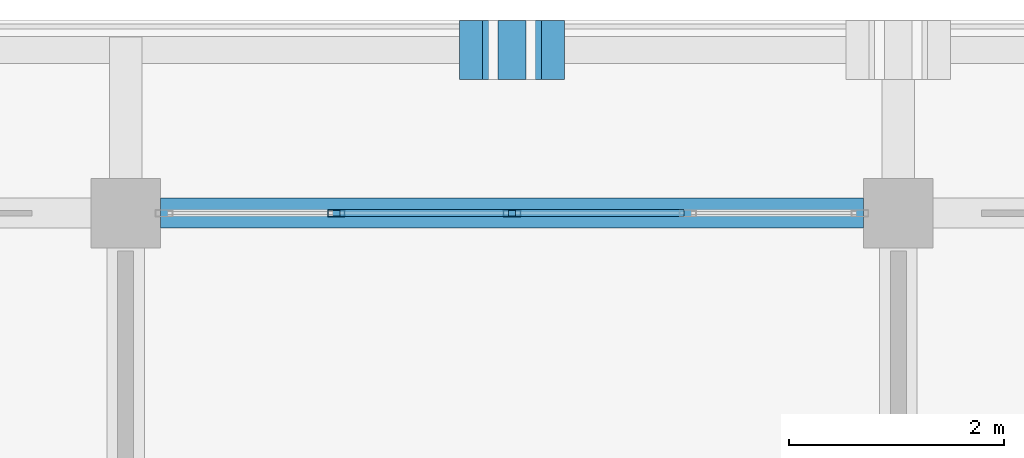
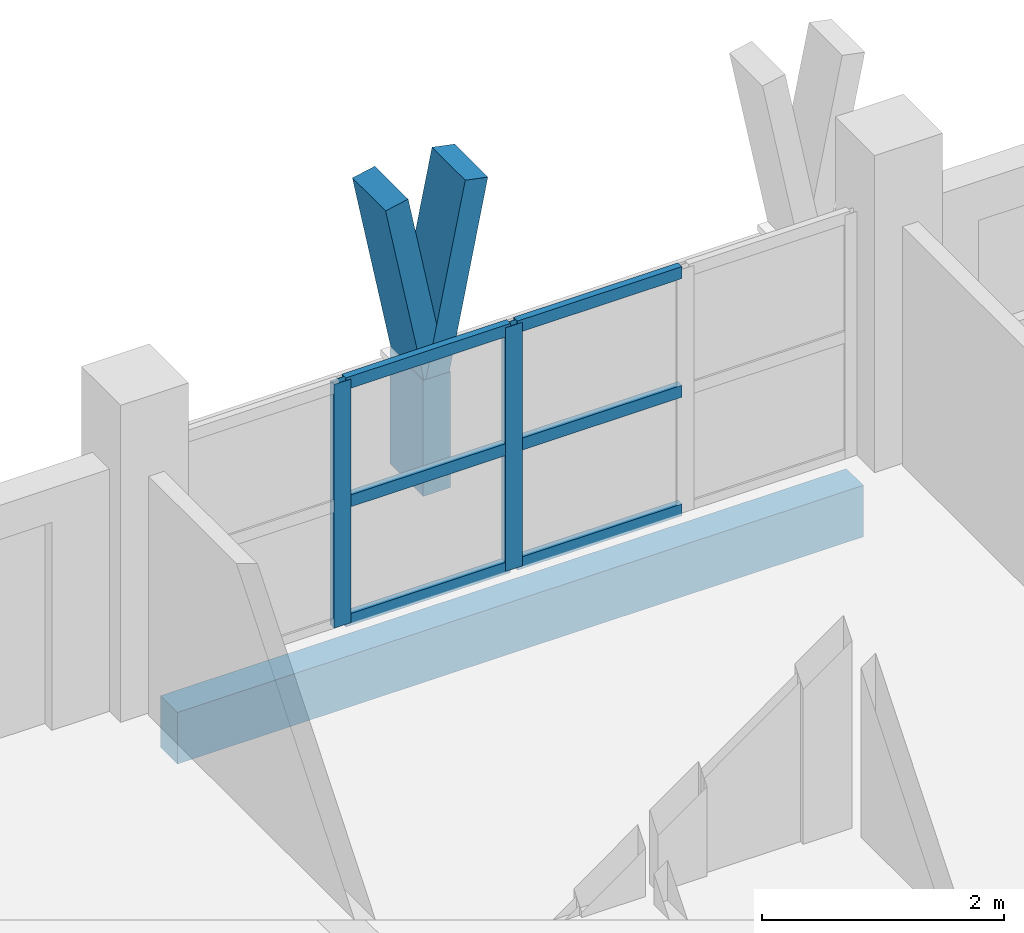
# One storey, part 16 of 76: 11 members, 1 beam, 1 element without a shape of its own.
"""IFC4 building model written with IfcOpenShell, lengths in metres."""

from ifc_helpers import new_model, si_unit, direction, frame, origin, origin_2d, place, context, subcontext, project, spatial, rectangle, hollow_rectangle, extrude, material, material_profile, profile_set, type_object, element, aggregate, save


model = new_model("IFC4")

# Units and contexts
model_context = context("Model", 3, precision=1e-05, world=origin(), true_north=direction((0.0, 1.0)))
body_context = subcontext(model_context, "Body", "Model", "MODEL_VIEW")
ifc_project = project(units=[si_unit("LENGTHUNIT", "METRE"), si_unit("AREAUNIT", "SQUARE_METRE"), si_unit("VOLUMEUNIT", "CUBIC_METRE"), si_unit("PLANEANGLEUNIT", "RADIAN"), si_unit("MASSUNIT", "GRAM", prefix="KILO")], contexts=[model_context])

# Site, building, storey
site_placement = place(None, origin())
site = spatial("IfcSite", under=ifc_project, at=site_placement, CompositionType="ELEMENT")
building_placement = place(site_placement, origin())
building = spatial("IfcBuilding", under=site, at=building_placement, Name="Suanplinth Sawtooth Commons", CompositionType="ELEMENT")
storey_placement = place(building_placement, frame((0.0, 0.0, 12.199951171875)))
storey = spatial("IfcBuildingStorey", under=building, at=storey_placement, Name="L03", CompositionType="ELEMENT", Elevation=12.199951171875)

# Beam
ifc_material_1 = material(Name="Precast concrete C40/50", Category="concrete")
ifc_material_profile_1 = material_profile(ifc_material_1, rectangle(XDim=0.280029296875, YDim=0.52001953125, at=origin_2d()), Name="PC-SP 280x520")
ifc_profile_set_1 = profile_set([ifc_material_profile_1], Name="Precast concrete C40/50")
beam_type = type_object("IfcBeamType", Name="B-08", PredefinedType="SPANDREL", material=ifc_profile_set_1)
beam_placement = place(storey_placement, frame((57.925048828125, 122.39990234375, -0.5), z_axis=(1.0, 0.0, 0.0), x_axis=(0.0, 1.0, 0.0)))
element("IfcBeam", 1, at=beam_placement, inside=storey, type_object=beam_type, Name="BMX-L03-A-8-17", PredefinedType="SPANDREL", context=body_context, shape_type="SweptSolid", body=[
    extrude(rectangle(XDim=0.280029296875, YDim=0.52001953125, at=origin_2d()), origin(), (0.0, 0.0, 1.0), 6.550048828125),
])

# Members
ifc_material_2 = material(Name="Pigmented precast concrete C40/50", Category="concrete")
ifc_material_profile_2 = material_profile(ifc_material_2, rectangle(XDim=0.260009765625, YDim=0.550048828125, at=origin_2d()), Name="PC-FIN 260x550")
ifc_profile_set_2 = profile_set([ifc_material_profile_2], Name="Pigmented precast concrete C40/50")
member_type_1 = type_object("IfcMemberType", Name="M-09", PredefinedType="USERDEFINED", material=ifc_profile_set_2)
member_1_placement = place(storey_placement, frame((61.199951171875, 123.919921875, 0.0), z_axis=(0.0, 0.0, 1.0), x_axis=(1.0, 0.0, 0.0)))
element("IfcMember", 2, at=member_1_placement, inside=storey, type_object=member_type_1, Name="Y-Blade Stem L03-A-N-06", ObjectType="SHADING FIN", PredefinedType="USERDEFINED", context=body_context, shape_type="SweptSolid", body=[
    extrude(rectangle(XDim=0.260009765625, YDim=0.550048828125, at=origin_2d()), origin(), (0.0, 0.0, 1.0), 1.170166015625),
])
ifc_material_profile_3 = material_profile(ifc_material_2, rectangle(XDim=0.219970703125, YDim=0.550048828125, at=origin_2d()), Name="PC-FIN 220x550")
ifc_profile_set_3 = profile_set([ifc_material_profile_3], Name="Pigmented precast concrete C40/50")
member_type_2 = type_object("IfcMemberType", Name="M-10", PredefinedType="USERDEFINED", material=ifc_profile_set_3)
member_2_placement = place(storey_placement, frame((61.199951171875, 123.919921875, 1.130126953125), z_axis=(-0.196309979414, 0.0, 0.980541886909), x_axis=(0.980541886909, 0.0, 0.196309979414)))
element("IfcMember", 3, at=member_2_placement, inside=storey, type_object=member_type_2, Name="Y-Blade Arm L L03-A-N-06", ObjectType="SHADING FIN", PredefinedType="USERDEFINED", context=body_context, shape_type="SweptSolid", body=[
    extrude(rectangle(XDim=0.219970703125, YDim=0.550048828125, at=origin_2d()), origin(), (0.0, 0.0, 1.0), 1.9375),
])
member_3_placement = place(storey_placement, frame((61.199951171875, 123.919921875, 1.130126953125), z_axis=(0.196431120402, 0.0, 0.980517626021), x_axis=(-0.980517626021, 0.0, 0.196431120402)))
element("IfcMember", 4, at=member_3_placement, inside=storey, type_object=member_type_2, Name="Y-Blade Arm R L03-A-N-06", ObjectType="SHADING FIN", PredefinedType="USERDEFINED", context=body_context, shape_type="SweptSolid", body=[
    extrude(rectangle(XDim=0.219970703125, YDim=0.550048828125, at=origin_2d()), origin(), (0.0, 0.0, 1.0), 1.937744140625),
])

# Curtain wall, members
ifc_material_3 = material(Name="Anodized aluminium and low-E glazing", Category="aluminium")
curtain_wall_type = type_object("IfcCurtainWallType", Name="CW-06", PredefinedType="USERDEFINED", material=ifc_material_3)
curtain_wall_placement = place(storey_placement, origin())
curtain_wall = element("IfcCurtainWall", 5, at=curtain_wall_placement, inside=storey, type_object=curtain_wall_type, Name="Curtain Wall CW-L03-A-LOUNGE-8", ObjectType="CURTAIN WALL", PredefinedType="USERDEFINED")
ifc_material_4 = material(Name="Anodized aluminium 6063-T6", Category="aluminium")
ifc_material_profile_4 = material_profile(ifc_material_4, hollow_rectangle(XDim=0.06494140625, YDim=0.159912109375, WallThickness=0.00390625, at=origin_2d()), Name="ALU-MUL 65x160")
ifc_profile_set_4 = profile_set([ifc_material_profile_4], Name="Anodized aluminium 6063-T6")
member_type_3 = type_object("IfcMemberType", Name="M-13", PredefinedType="MULLION", material=ifc_profile_set_4)
member_4_placement = place(storey_placement, frame((59.5625, 122.39990234375, 0.0), z_axis=(0.0, 0.0, 1.0), x_axis=(0.0, 1.0, 0.0)))
member_4 = element("IfcMember", 6, at=member_4_placement, type_object=member_type_3, Name="CW-06 mullion 2", PredefinedType="MULLION", context=body_context, shape_type="SweptSolid", body=[
    extrude(hollow_rectangle(XDim=0.06494140625, YDim=0.159912109375, WallThickness=0.00390625, at=origin_2d()), origin(), (0.0, 0.0, 1.0), 2.4599609375),
])
member_5_placement = place(storey_placement, frame((61.199951171875, 122.39990234375, 0.0), z_axis=(0.0, 0.0, 1.0), x_axis=(0.0, 1.0, 0.0)))
member_5 = element("IfcMember", 7, at=member_5_placement, type_object=member_type_3, Name="CW-06 mullion 3", PredefinedType="MULLION", context=body_context, shape_type="SweptSolid", body=[
    extrude(hollow_rectangle(XDim=0.06494140625, YDim=0.159912109375, WallThickness=0.00390625, at=origin_2d()), origin(), (0.0, 0.0, 1.0), 2.4599609375),
])
ifc_material_profile_5 = material_profile(ifc_material_4, hollow_rectangle(XDim=0.06494140625, YDim=0.1201171875, WallThickness=0.00390625, at=origin_2d()), Name="ALU-TRN 65x120")
ifc_profile_set_5 = profile_set([ifc_material_profile_5], Name="Anodized aluminium 6063-T6")
member_type_4 = type_object("IfcMemberType", Name="M-15", PredefinedType="USERDEFINED", material=ifc_profile_set_5)
member_6_placement = place(storey_placement, frame((59.594970703125, 122.39990234375, 0.032470703125), z_axis=(1.0, 0.0, 0.0), x_axis=(0.0, 1.0, 0.0)))
member_6 = element("IfcMember", 8, at=member_6_placement, type_object=member_type_4, Name="CW-06 transom 2.1", ObjectType="TRANSOM", PredefinedType="USERDEFINED", context=body_context, shape_type="SweptSolid", body=[
    extrude(hollow_rectangle(XDim=0.06494140625, YDim=0.1201171875, WallThickness=0.00390625, at=origin_2d()), origin(), (0.0, 0.0, 1.0), 1.572509765625),
])
member_7_placement = place(storey_placement, frame((59.594970703125, 122.39990234375, 1.22998046875), z_axis=(1.0, 0.0, 0.0), x_axis=(0.0, 1.0, 0.0)))
member_7 = element("IfcMember", 9, at=member_7_placement, type_object=member_type_4, Name="CW-06 transom 2.2", ObjectType="TRANSOM", PredefinedType="USERDEFINED", context=body_context, shape_type="SweptSolid", body=[
    extrude(hollow_rectangle(XDim=0.06494140625, YDim=0.1201171875, WallThickness=0.00390625, at=origin_2d()), origin(), (0.0, 0.0, 1.0), 1.572509765625),
])
member_8_placement = place(storey_placement, frame((59.594970703125, 122.39990234375, 2.427490234375), z_axis=(1.0, 0.0, 0.0), x_axis=(0.0, 1.0, 0.0)))
member_8 = element("IfcMember", 10, at=member_8_placement, type_object=member_type_4, Name="CW-06 transom 2.3", ObjectType="TRANSOM", PredefinedType="USERDEFINED", context=body_context, shape_type="SweptSolid", body=[
    extrude(hollow_rectangle(XDim=0.06494140625, YDim=0.1201171875, WallThickness=0.00390625, at=origin_2d()), origin(), (0.0, 0.0, 1.0), 1.572509765625),
])
member_9_placement = place(storey_placement, frame((61.232421875, 122.39990234375, 0.032470703125), z_axis=(1.0, 0.0, 0.0), x_axis=(0.0, 1.0, 0.0)))
member_9 = element("IfcMember", 11, at=member_9_placement, type_object=member_type_4, Name="CW-06 transom 3.1", ObjectType="TRANSOM", PredefinedType="USERDEFINED", context=body_context, shape_type="SweptSolid", body=[
    extrude(hollow_rectangle(XDim=0.06494140625, YDim=0.1201171875, WallThickness=0.00390625, at=origin_2d()), origin(), (0.0, 0.0, 1.0), 1.572509765625),
])
member_10_placement = place(storey_placement, frame((61.232421875, 122.39990234375, 1.22998046875), z_axis=(1.0, 0.0, 0.0), x_axis=(0.0, 1.0, 0.0)))
member_10 = element("IfcMember", 12, at=member_10_placement, type_object=member_type_4, Name="CW-06 transom 3.2", ObjectType="TRANSOM", PredefinedType="USERDEFINED", context=body_context, shape_type="SweptSolid", body=[
    extrude(hollow_rectangle(XDim=0.06494140625, YDim=0.1201171875, WallThickness=0.00390625, at=origin_2d()), origin(), (0.0, 0.0, 1.0), 1.572509765625),
])
member_11_placement = place(storey_placement, frame((61.232421875, 122.39990234375, 2.427490234375), z_axis=(1.0, 0.0, 0.0), x_axis=(0.0, 1.0, 0.0)))
member_11 = element("IfcMember", 13, at=member_11_placement, type_object=member_type_4, Name="CW-06 transom 3.3", ObjectType="TRANSOM", PredefinedType="USERDEFINED", context=body_context, shape_type="SweptSolid", body=[
    extrude(hollow_rectangle(XDim=0.06494140625, YDim=0.1201171875, WallThickness=0.00390625, at=origin_2d()), origin(), (0.0, 0.0, 1.0), 1.572509765625),
])
aggregate(curtain_wall, [member_4, member_5, member_6, member_7, member_8, member_9, member_10, member_11])

save(model, "model.ifc")
